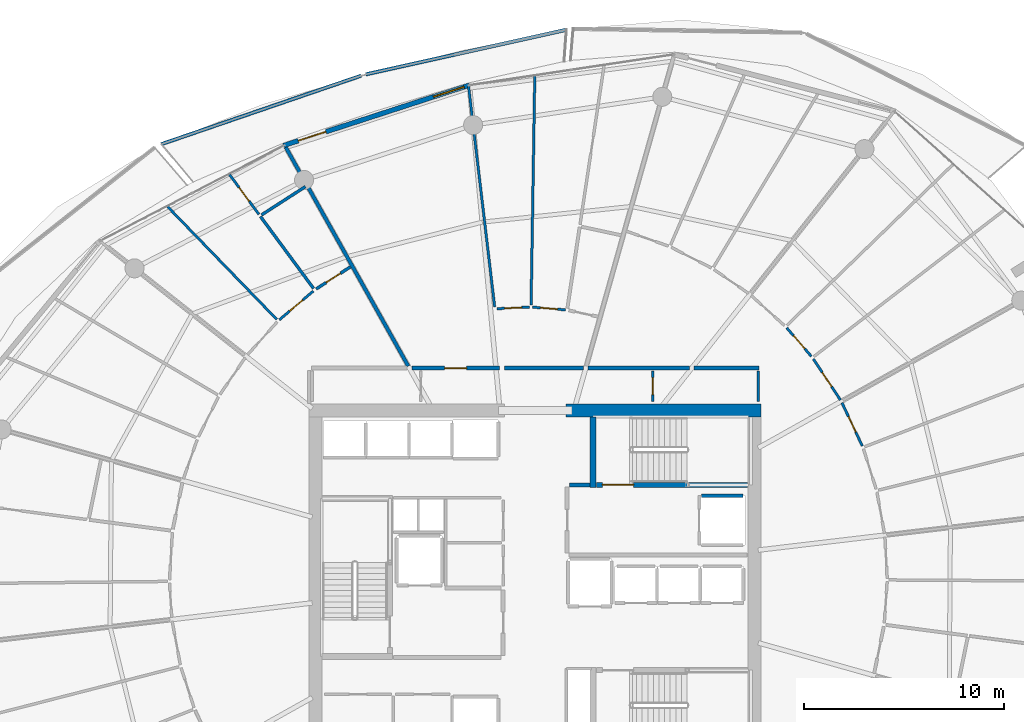
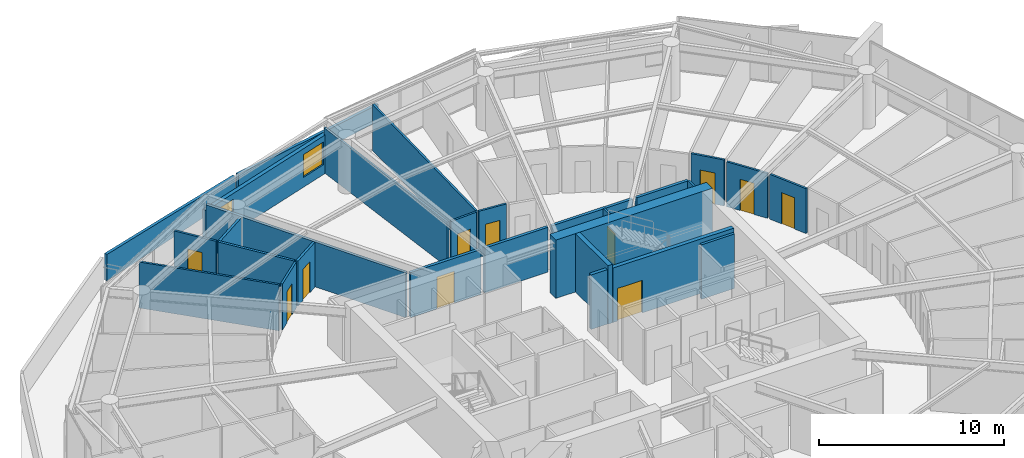
# One storey, part 22 of 30: 28 walls, 12 doors, 1 window, 13 openings.
"""IFC4 building model written with IfcOpenShell, lengths in metres."""

from ifc_helpers import new_model, si_unit, direction, frame, frame_2d, origin, place, context, subcontext, project, spatial, polyline, rectangle, outline, extrude, material, layer, layer_set, type_object, element, fill, save


model = new_model("IFC4")

# Units and contexts
model_context = context("Model", 3, precision=1e-05, world=origin(), true_north=direction((0.0, 1.0)))
body_context = subcontext(model_context, "Body", "Model", "MODEL_VIEW")
ifc_project = project(units=[si_unit("LENGTHUNIT", "METRE"), si_unit("AREAUNIT", "SQUARE_METRE"), si_unit("VOLUMEUNIT", "CUBIC_METRE"), si_unit("PLANEANGLEUNIT", "RADIAN"), si_unit("MASSUNIT", "GRAM", prefix="KILO")], contexts=[model_context])

# Site, building, storey
site_placement = place(None, origin())
site = spatial("IfcSite", under=ifc_project, at=site_placement, CompositionType="ELEMENT")
building_placement = place(site_placement, origin())
building = spatial("IfcBuilding", under=site, at=building_placement, Name="Kazma Halo Residences", CompositionType="ELEMENT")
storey_placement = place(building_placement, frame((0.0, 0.0, 236.699951171875)))
storey = spatial("IfcBuildingStorey", under=building, at=storey_placement, Name="L59", CompositionType="ELEMENT", Elevation=236.699951171875)

# Walls
ifc_material_1 = material(Name="White Concrete C50/60 Balustrade", Category="concrete")
ifc_layer_1 = layer(ifc_material_1, 0.179931640625)
ifc_layer_set_1 = layer_set([ifc_layer_1], Name="White Concrete C50/60 Balustrade")
wall_type_1 = type_object("IfcWallType", Name="WL-BAL-WAVE-180", PredefinedType="PARAPET", material=ifc_layer_set_1)
wall_1_placement = place(storey_placement, frame((49.98291015625, 69.327392578125, 0.0), z_axis=(0.0, 0.0, 1.0), x_axis=(-0.976130464401, -0.217184982143, 0.0)))
element("IfcWall", 1, at=wall_1_placement, inside=storey, type_object=wall_type_1, Name="L59 white wave balustrade wall NNW.1", PredefinedType="PARAPET", context=body_context, shape_type="SweptSolid", body=[
    extrude(outline(polyline([(0.0, 0.0), (10.257568359375, 0.0), (10.25732421875, 1.34814453125), (5.128662109375, 1.18212890625), (0.0, 1.1201171875), (0.0, 0.0)])), frame((0.0, 0.08984375, 0.0), z_axis=(0.0, -1.0, 0.0), x_axis=(1.0, 0.0, 0.0)), (0.0, 0.0, 1.0), 0.179931640625),
])
wall_2_placement = place(storey_placement, frame((39.73974609375, 67.034423828125, 0.0), z_axis=(0.0, 0.0, 1.0), x_axis=(-0.945994037051, -0.32418402469, 0.0)))
element("IfcWall", 2, at=wall_2_placement, inside=storey, type_object=wall_type_1, Name="L59 white wave balustrade wall NNW.2", PredefinedType="PARAPET", context=body_context, shape_type="SweptSolid", body=[
    extrude(outline(polyline([(0.0, 0.0), (10.5439453125, 0.0), (10.5439453125, 1.7470703125), (5.27197265625, 1.56201171875), (0.0, 1.34814453125), (0.0, 0.0)])), frame((0.0, 0.08984375, 0.0), z_axis=(0.0, -1.0, 0.0), x_axis=(1.0, 0.0, 0.0)), (0.0, 0.0, 1.0), 0.179931640625),
])
ifc_material_2 = material(Name="Concrete C60/75", Category="concrete")
ifc_layer_2 = layer(ifc_material_2, 0.64990234375)
ifc_layer_set_2 = layer_set([ifc_layer_2], Name="Concrete C60/75")
wall_type_2 = type_object("IfcWallType", Name="WL-CORE-650", PredefinedType="SHEAR", material=ifc_layer_set_2)
wall_3_placement = place(storey_placement, frame((49.949951171875, 50.324951171875, 0.0), z_axis=(0.0, 0.0, 1.0), x_axis=(1.0, 0.0, 0.0)))
element("IfcWall", 3, at=wall_3_placement, inside=storey, type_object=wall_type_2, Name="L59 central core shear wall NE", PredefinedType="SHEAR", context=body_context, shape_type="SweptSolid", body=[
    extrude(rectangle(XDim=9.75, YDim=0.64990234375, at=frame_2d((4.875, 0.0))), origin(), (0.0, 0.0, 1.0), 3.85009765625),
])
ifc_layer_3 = layer(ifc_material_2, 0.280029296875)
ifc_layer_set_3 = layer_set([ifc_layer_3], Name="Concrete C60/75")
wall_type_3 = type_object("IfcWallType", Name="WL-CORE-ST-280", PredefinedType="SHEAR", material=ifc_layer_set_3)
wall_4_placement = place(storey_placement, frame((51.31005859375, 46.5, 0.0), z_axis=(0.0, 0.0, 1.0), x_axis=(0.0, 1.0, 0.0)))
element("IfcWall", 4, at=wall_4_placement, inside=storey, type_object=wall_type_3, Name="L59 stairwell bearing wall ST02-W", PredefinedType="SHEAR", context=body_context, shape_type="SweptSolid", body=[
    extrude(rectangle(XDim=3.5, YDim=0.280029296875, at=frame_2d((1.75, 0.0))), origin(), (0.0, 0.0, 1.0), 3.85009765625),
])
ifc_material_3 = material(Name="Acoustic Twin-Stud Gypsum")
ifc_layer_4 = layer(ifc_material_3, 0.179931640625)
ifc_layer_set_4 = layer_set([ifc_layer_4], Name="Acoustic Twin-Stud Gypsum")
wall_type_4 = type_object("IfcWallType", Name="WL-DEM-180", PredefinedType="PARTITIONING", material=ifc_layer_set_4)
wall_5_placement = place(storey_placement, frame((42.093994140625, 52.5458984375, 0.0), z_axis=(0.0, 0.0, 1.0), x_axis=(-0.48862654941, 0.872493034477, 0.0)))
element("IfcWall", 5, at=wall_5_placement, inside=storey, type_object=wall_type_4, Name="L59 apartment demising radial wall 04", PredefinedType="PARTITIONING", context=body_context, shape_type="SweptSolid", body=[
    extrude(rectangle(XDim=12.507568359375, YDim=0.179931640625, at=frame_2d((6.25390625, 0.0))), origin(), (0.0, 0.0, 1.0), 2.95703125),
])

# Wall, opening, door
wall_6_placement = place(storey_placement, frame((46.643310546875, 52.449951171875, 0.0), z_axis=(0.0, 0.0, 1.0), x_axis=(-1.0, 0.0, 0.0)))
wall_6 = element("IfcWall", 6, at=wall_6_placement, inside=storey, type_object=wall_type_4, Name="L59 Apartment 1 entrance corridor wall", PredefinedType="PARTITIONING", context=body_context, shape_type="SweptSolid", body=[
    extrude(rectangle(XDim=4.375732421875, YDim=0.179931640625, at=frame_2d((2.18798828125, 0.0))), origin(), (0.0, 0.0, 1.0), 2.95703125),
])
opening_1_placement = place(wall_6_placement, frame((1.6376953125, 0.0, 0.0)))
opening_1 = element("IfcOpeningElement", 7, at=opening_1_placement, cuts=wall_6, Name="Opening DA-1100", PredefinedType="OPENING", context=body_context, shape_type="SweptSolid", body=[
    extrude(rectangle(XDim=1.10009765625, YDim=2.10009765625, at=frame_2d((0.550048828125, 1.050048828125))), frame((0.0, 0.099853515625, 0.0), z_axis=(0.0, -1.0, 0.0), x_axis=(1.0, 0.0, 0.0)), (0.0, 0.0, 1.0), 0.199951171875),
])
ifc_material_4 = material(Name="Acoustic Walnut Fire Leaf")
door_type_1 = type_object("IfcDoorType", Name="DR-FD60-1100", OperationType="NOTDEFINED", PredefinedType="DOOR", material=ifc_material_4)
door_1_placement = place(opening_1_placement, origin())
door_1 = element("IfcDoor", 8, at=door_1_placement, inside=storey, type_object=door_type_1, Name="L59 Apartment 1 entrance fire door", OperationType="SINGLE_SWING_LEFT", OverallHeight=2.10009765625, OverallWidth=1.10009765625, PredefinedType="DOOR", context=body_context, shape_type="SweptSolid", body=[
    extrude(rectangle(XDim=1.10009765625, YDim=2.10009765625, at=frame_2d((0.550048828125, 1.050048828125))), frame((0.0, 0.02490234375, 0.0), z_axis=(0.0, -1.0, 0.0), x_axis=(1.0, 0.0, 0.0)), (0.0, 0.0, 1.0), 0.050048828125),
])
fill(opening_1, door_1)

# Walls
wall_7_placement = place(storey_placement, frame((50.8271484375, 52.449951171875, 0.0), z_axis=(0.0, 0.0, 1.0), x_axis=(-1.0, 0.0, 0.0)))
element("IfcWall", 9, at=wall_7_placement, inside=storey, type_object=wall_type_4, Name="L59 Apartment 1 inner wall 2", PredefinedType="PARTITIONING", context=body_context, shape_type="SweptSolid", body=[
    extrude(rectangle(XDim=3.94384765625, YDim=0.179931640625, at=frame_2d((1.971923828125, 0.0))), origin(), (0.0, 0.0, 1.0), 2.95703125),
])
wall_8_placement = place(storey_placement, frame((59.580078125, 52.449951171875, 0.0), z_axis=(0.0, 0.0, 1.0), x_axis=(-1.0, 0.0, 0.0)))
element("IfcWall", 10, at=wall_8_placement, inside=storey, type_object=wall_type_4, Name="L59 Apartment 4 inner wall 0", PredefinedType="PARTITIONING", context=body_context, shape_type="SweptSolid", body=[
    extrude(rectangle(XDim=3.221923828125, YDim=0.179931640625, at=frame_2d((1.61083984375, 0.0))), origin(), (0.0, 0.0, 1.0), 2.95703125),
])
wall_9_placement = place(storey_placement, frame((56.1181640625, 52.449951171875, 0.0), z_axis=(0.0, 0.0, 1.0), x_axis=(-1.0, 0.0, 0.0)))
element("IfcWall", 11, at=wall_9_placement, inside=storey, type_object=wall_type_4, Name="L59 Apartment 4 inner wall 1", PredefinedType="PARTITIONING", context=body_context, shape_type="SweptSolid", body=[
    extrude(rectangle(XDim=5.051025390625, YDim=0.179931640625, at=frame_2d((2.525390625, 0.0))), origin(), (0.0, 0.0, 1.0), 2.95703125),
])

# Wall, openings, door, window
ifc_material_5 = material(Name="Insulated Pale-Metal Composite Wall")
ifc_layer_5 = layer(ifc_material_5, 0.239990234375)
ifc_layer_set_5 = layer_set([ifc_layer_5], Name="Insulated Pale-Metal Composite Wall")
wall_type_5 = type_object("IfcWallType", Name="WL-EXT-HOST-240", PredefinedType="SOLIDWALL", material=ifc_layer_set_5)
wall_10_placement = place(storey_placement, frame((45.14208984375, 66.563720703125, 0.0), z_axis=(0.0, 0.0, 1.0), x_axis=(-0.951055974609, -0.309018661507, 0.0)))
wall_10 = element("IfcWall", 12, at=wall_10_placement, inside=storey, type_object=wall_type_5, Name="L59 exterior terrace-access wall B04", PredefinedType="SOLIDWALL", context=body_context, shape_type="SweptSolid", body=[
    extrude(rectangle(XDim=9.745361328125, YDim=0.239990234375, at=frame_2d((4.87255859375, 0.0))), origin(), (0.0, 0.0, 1.0), 2.5400390625),
])
opening_2_placement = place(wall_10_placement, frame((7.525390625, 0.0, 0.0)))
opening_2 = element("IfcOpeningElement", 13, at=opening_2_placement, cuts=wall_10, Name="Opening DTR-1600", PredefinedType="OPENING", context=body_context, shape_type="SweptSolid", body=[
    extrude(rectangle(XDim=1.449951171875, YDim=2.14990234375, at=frame_2d((0.72509765625, 1.074951171875))), frame((0.0, 0.1298828125, 0.0), z_axis=(0.0, -1.0, 0.0), x_axis=(1.0, 0.0, 0.0)), (0.0, 0.0, 1.0), 0.260009765625),
])
opening_3_placement = place(wall_10_placement, frame((0.280029296875, 0.0, 0.64990234375)))
opening_3 = element("IfcOpeningElement", 14, at=opening_3_placement, cuts=wall_10, Name="Opening W-1800", PredefinedType="OPENING", context=body_context, shape_type="SweptSolid", body=[
    extrude(rectangle(XDim=1.60009765625, YDim=1.5, at=frame_2d((0.800048828125, 0.75))), frame((0.0, 0.1298828125, 0.0), z_axis=(0.0, -1.0, 0.0), x_axis=(1.0, 0.0, 0.0)), (0.0, 0.0, 1.0), 0.260009765625),
])
ifc_material_6 = material(Name="Aluminium AW-6063 T6 Double-Glazed Terrace Door", Category="aluminium")
door_type_2 = type_object("IfcDoorType", Name="DR-EXT-TERR-1600", OperationType="NOTDEFINED", PredefinedType="DOOR", material=ifc_material_6)
door_2_placement = place(opening_2_placement, origin())
door_2 = element("IfcDoor", 15, at=door_2_placement, inside=storey, type_object=door_type_2, Name="L59 B04 balcony terrace door", OperationType="DOUBLE_DOOR_SLIDING", OverallHeight=2.14990234375, OverallWidth=1.449951171875, PredefinedType="DOOR", context=body_context, shape_type="SweptSolid", body=[
    extrude(rectangle(XDim=1.449951171875, YDim=2.14990234375, at=frame_2d((0.72509765625, 1.074951171875))), frame((0.0, 0.02490234375, 0.0), z_axis=(0.0, -1.0, 0.0), x_axis=(1.0, 0.0, 0.0)), (0.0, 0.0, 1.0), 0.050048828125),
])
fill(opening_2, door_2)
ifc_material_7 = material(Name="Clear Triple-Silver Low-E Glass in Aluminium AW-6063 T6 Frame", Category="aluminium")
window_type = type_object("IfcWindowType", Name="WIN-RES-1800", PartitioningType="DOUBLE_PANEL_VERTICAL", PredefinedType="WINDOW", material=ifc_material_7)
window_placement = place(opening_3_placement, origin())
window = element("IfcWindow", 16, at=window_placement, inside=storey, type_object=window_type, Name="L59 B04 apartment window", OverallHeight=1.5, OverallWidth=1.60009765625, PartitioningType="SINGLE_PANEL", PredefinedType="WINDOW", context=body_context, shape_type="SweptSolid", body=[
    extrude(rectangle(XDim=1.60009765625, YDim=1.5, at=frame_2d((0.800048828125, 0.75))), frame((0.0, 0.030029296875, 0.0), z_axis=(0.0, -1.0, 0.0), x_axis=(1.0, 0.0, 0.0)), (0.0, 0.0, 1.0), 0.06005859375),
])
fill(opening_3, window)

# Walls
ifc_material_8 = material(Name="Fire-Rated Blockwork Masonry", Category="masonry")
ifc_layer_6 = layer(ifc_material_8, 0.199951171875)
ifc_layer_set_6 = layer_set([ifc_layer_6], Name="Fire-Rated Blockwork Masonry")
wall_type_6 = type_object("IfcWallType", Name="WL-FLB-200", PredefinedType="PARTITIONING", material=ifc_layer_set_6)
wall_11_placement = place(storey_placement, frame((56.719970703125, 46.080078125, 0.0), z_axis=(0.0, 0.0, 1.0), x_axis=(1.0, 0.0, 0.0)))
element("IfcWall", 17, at=wall_11_placement, inside=storey, type_object=wall_type_6, Name="L59 lift shaft FL-02 side wall N", PredefinedType="PARTITIONING", context=body_context, shape_type="SweptSolid", body=[
    extrude(rectangle(XDim=2.06005859375, YDim=0.159912109375, at=frame_2d((1.030029296875, 0.0))), origin(), (0.0, 0.0, 1.0), 3.590087890625),
])
wall_12_placement = place(storey_placement, frame((50.139892578125, 46.6201171875, 0.0), z_axis=(0.0, 0.0, 1.0), x_axis=(1.0, 0.0, 0.0)))
element("IfcWall", 18, at=wall_12_placement, inside=storey, type_object=wall_type_6, Name="L59 east firefighting lobby north closure wall", PredefinedType="PARTITIONING", context=body_context, shape_type="SweptSolid", body=[
    extrude(rectangle(XDim=1.02001953125, YDim=0.199951171875, at=frame_2d((0.510009765625, 0.0))), origin(), (0.0, 0.0, 1.0), 3.590087890625),
])
ifc_material_9 = material(Name="Gypsum Plasterboard Partition")
ifc_layer_7 = layer(ifc_material_9, 0.125)
ifc_layer_set_7 = layer_set([ifc_layer_7], Name="Gypsum Plasterboard Partition")
wall_type_7 = type_object("IfcWallType", Name="WL-PART-125", PredefinedType="PARTITIONING", material=ifc_layer_set_7)
wall_13_placement = place(storey_placement, frame((59.56005859375, 50.77001953125, 0.0), z_axis=(0.0, 0.0, 1.0), x_axis=(0.0, 1.0, 0.0)))
element("IfcWall", 19, at=wall_13_placement, inside=storey, type_object=wall_type_7, Name="L59 east cupboard end wall", PredefinedType="PARTITIONING", context=body_context, shape_type="SweptSolid", body=[
    extrude(rectangle(XDim=1.5400390625, YDim=0.125, at=frame_2d((0.77001953125, 0.0))), origin(), (0.0, 0.0, 1.0), 3.030029296875),
])

# Wall, opening, door
wall_14_placement = place(storey_placement, frame((54.2900390625, 50.7900390625, 0.0), z_axis=(0.0, 0.0, 1.0), x_axis=(0.0, 1.0, 0.0)))
wall_14 = element("IfcWall", 20, at=wall_14_placement, inside=storey, type_object=wall_type_7, Name="L59 floor metering cupboard door wall", PredefinedType="PARTITIONING", context=body_context, shape_type="SweptSolid", body=[
    extrude(rectangle(XDim=1.52001953125, YDim=0.125, at=frame_2d((0.760009765625, 0.0))), origin(), (0.0, 0.0, 1.0), 3.030029296875),
])
opening_4_placement = place(wall_14_placement, frame((0.3349609375, 0.0, 0.0)))
opening_4 = element("IfcOpeningElement", 21, at=opening_4_placement, cuts=wall_14, Name="Opening DS-850", PredefinedType="OPENING", context=body_context, shape_type="SweptSolid", body=[
    extrude(rectangle(XDim=0.85009765625, YDim=2.06005859375, at=frame_2d((0.425048828125, 1.030029296875))), frame((0.0, 0.072509765625, 0.0), z_axis=(0.0, -1.0, 0.0), x_axis=(1.0, 0.0, 0.0)), (0.0, 0.0, 1.0), 0.14501953125),
])
ifc_material_10 = material(Name="Painted Steel Access Leaf", Category="steel")
door_type_3 = type_object("IfcDoorType", Name="DR-SVC-850", OperationType="NOTDEFINED", PredefinedType="DOOR", material=ifc_material_10)
door_3_placement = place(opening_4_placement, origin())
door_3 = element("IfcDoor", 22, at=door_3_placement, inside=storey, type_object=door_type_3, Name="L59 floor cupboard door", OperationType="SINGLE_SWING_LEFT", OverallHeight=2.06005859375, OverallWidth=0.85009765625, PredefinedType="DOOR", context=body_context, shape_type="SweptSolid", body=[
    extrude(rectangle(XDim=0.85009765625, YDim=2.06005859375, at=frame_2d((0.425048828125, 1.030029296875))), frame((0.0, 0.02490234375, 0.0), z_axis=(0.0, -1.0, 0.0), x_axis=(1.0, 0.0, 0.0)), (0.0, 0.0, 1.0), 0.050048828125),
])
fill(opening_4, door_3)

# Walls
wall_15_placement = place(storey_placement, frame((46.40185546875, 55.502685546875, 0.0), z_axis=(0.0, 0.0, 1.0), x_axis=(-0.117541965763, 0.99306791625, 0.0)))
element("IfcWall", 23, at=wall_15_placement, inside=storey, type_object=wall_type_7, Name="L59 Apartment 1 living radial partition 2", PredefinedType="PARTITIONING", context=body_context, shape_type="SweptSolid", body=[
    extrude(rectangle(XDim=11.09765625, YDim=0.125, at=frame_2d((5.548828125, 0.0))), origin(), (0.0, 0.0, 1.0), 2.95703125),
])
wall_16_placement = place(storey_placement, frame((48.21875, 55.585205078125, 0.0), z_axis=(0.0, 0.0, 1.0), x_axis=(0.016095267484, 0.999870462792, 0.0)))
element("IfcWall", 24, at=wall_16_placement, inside=storey, type_object=wall_type_7, Name="L59 Apartment 1 suite divider 2", PredefinedType="PARTITIONING", context=body_context, shape_type="SweptSolid", body=[
    extrude(rectangle(XDim=11.43701171875, YDim=0.125, at=frame_2d((5.718505859375, 0.0))), origin(), (0.0, 0.0, 1.0), 3.030029296875),
])

# Wall, opening, door
wall_17_placement = place(storey_placement, frame((49.927490234375, 55.352783203125, 0.0), z_axis=(0.0, 0.0, 1.0), x_axis=(-0.996539580569, 0.083119578673, 0.0)))
wall_17 = element("IfcWall", 25, at=wall_17_placement, inside=storey, type_object=wall_type_7, Name="L59 Apartment 1 Gourmet Kitchen hall wall", PredefinedType="PARTITIONING", context=body_context, shape_type="SweptSolid", body=[
    extrude(rectangle(XDim=1.635986328125, YDim=0.125, at=frame_2d((0.81787109375, 0.0))), origin(), (0.0, 0.0, 1.0), 3.030029296875),
])
opening_5_placement = place(wall_17_placement, frame((0.39306640625, 0.0, 0.0)))
opening_5 = element("IfcOpeningElement", 26, at=opening_5_placement, cuts=wall_17, Name="Opening DB-900", PredefinedType="OPENING", context=body_context, shape_type="SweptSolid", body=[
    extrude(rectangle(XDim=0.85009765625, YDim=2.06005859375, at=frame_2d((0.425048828125, 1.030029296875))), frame((0.0, 0.072509765625, 0.0), z_axis=(0.0, -1.0, 0.0), x_axis=(1.0, 0.0, 0.0)), (0.0, 0.0, 1.0), 0.14501953125),
])
ifc_material_11 = material(Name="Moisture-Sealed Timber Leaf", Category="wood")
door_type_4 = type_object("IfcDoorType", Name="DR-BTH-900", OperationType="NOTDEFINED", PredefinedType="DOOR", material=ifc_material_11)
door_4_placement = place(opening_5_placement, origin())
door_4 = element("IfcDoor", 27, at=door_4_placement, inside=storey, type_object=door_type_4, Name="L59 Apartment 1 Gourmet Kitchen door", OperationType="SINGLE_SWING_RIGHT", OverallHeight=2.06005859375, OverallWidth=0.85009765625, PredefinedType="DOOR", context=body_context, shape_type="SweptSolid", body=[
    extrude(rectangle(XDim=0.85009765625, YDim=2.06005859375, at=frame_2d((0.425048828125, 1.030029296875))), frame((0.0, 0.02490234375, 0.0), z_axis=(0.0, -1.0, 0.0), x_axis=(1.0, 0.0, 0.0)), (0.0, 0.0, 1.0), 0.050048828125),
])
fill(opening_5, door_4)

wall_18_placement = place(storey_placement, frame((48.137451171875, 55.4912109375, 0.0), z_axis=(0.0, 0.0, 1.0), x_axis=(-0.998703955292, -0.050896067475, 0.0)))
wall_18 = element("IfcWall", 28, at=wall_18_placement, inside=storey, type_object=wall_type_7, Name="L59 Apartment 1 Primary Bedroom hall wall", PredefinedType="PARTITIONING", context=body_context, shape_type="SweptSolid", body=[
    extrude(rectangle(XDim=1.626220703125, YDim=0.125, at=frame_2d((0.81298828125, 0.0))), origin(), (0.0, 0.0, 1.0), 3.030029296875),
])
opening_6_placement = place(wall_18_placement, frame((0.387939453125, 0.0, 0.0)))
opening_6 = element("IfcOpeningElement", 29, at=opening_6_placement, cuts=wall_18, Name="Opening DB-900", PredefinedType="OPENING", context=body_context, shape_type="SweptSolid", body=[
    extrude(rectangle(XDim=0.85009765625, YDim=2.06005859375, at=frame_2d((0.425048828125, 1.030029296875))), frame((0.0, 0.072509765625, 0.0), z_axis=(0.0, -1.0, 0.0), x_axis=(1.0, 0.0, 0.0)), (0.0, 0.0, 1.0), 0.14501953125),
])
door_5_placement = place(opening_6_placement, origin())
door_5 = element("IfcDoor", 30, at=door_5_placement, inside=storey, type_object=door_type_4, Name="L59 Apartment 1 Primary Bedroom door", OperationType="SINGLE_SWING_LEFT", OverallHeight=2.06005859375, OverallWidth=0.85009765625, PredefinedType="DOOR", context=body_context, shape_type="SweptSolid", body=[
    extrude(rectangle(XDim=0.85009765625, YDim=2.06005859375, at=frame_2d((0.425048828125, 1.030029296875))), frame((0.0, 0.02490234375, 0.0), z_axis=(0.0, -1.0, 0.0), x_axis=(1.0, 0.0, 0.0)), (0.0, 0.0, 1.0), 0.050048828125),
])
fill(opening_6, door_5)

wall_19_placement = place(storey_placement, frame((34.64404296875, 60.112060546875, 0.0), z_axis=(0.0, 0.0, 1.0), x_axis=(-0.593484040468, 0.804845757713, 0.0)))
wall_19 = element("IfcWall", 31, at=wall_19_placement, inside=storey, type_object=wall_type_7, Name="L59 Apartment 2 Household Store Room partition wall", PredefinedType="PARTITIONING", context=body_context, shape_type="SweptSolid", body=[
    extrude(rectangle(XDim=2.4833984375, YDim=0.125, at=frame_2d((1.24169921875, 0.0))), origin(), (0.0, 0.0, 1.0), 3.030029296875),
])
opening_7_placement = place(wall_19_placement, frame((0.816650390625, 0.0, 0.0)))
opening_7 = element("IfcOpeningElement", 32, at=opening_7_placement, cuts=wall_19, Name="Opening DB-900", PredefinedType="OPENING", context=body_context, shape_type="SweptSolid", body=[
    extrude(rectangle(XDim=0.85009765625, YDim=2.06005859375, at=frame_2d((0.425048828125, 1.030029296875))), frame((0.0, 0.072509765625, 0.0), z_axis=(0.0, -1.0, 0.0), x_axis=(1.0, 0.0, 0.0)), (0.0, 0.0, 1.0), 0.14501953125),
])
door_6_placement = place(opening_7_placement, origin())
door_6 = element("IfcDoor", 33, at=door_6_placement, inside=storey, type_object=door_type_4, Name="L59 Apartment 2 Household Store Room door", OperationType="SINGLE_SWING_LEFT", OverallHeight=2.06005859375, OverallWidth=0.85009765625, PredefinedType="DOOR", context=body_context, shape_type="SweptSolid", body=[
    extrude(rectangle(XDim=0.85009765625, YDim=2.06005859375, at=frame_2d((0.425048828125, 1.030029296875))), frame((0.0, 0.02490234375, 0.0), z_axis=(0.0, -1.0, 0.0), x_axis=(1.0, 0.0, 0.0)), (0.0, 0.0, 1.0), 0.050048828125),
])
fill(opening_7, door_6)

# Wall
wall_20_placement = place(storey_placement, frame((35.53857421875, 54.869384765625, 0.0), z_axis=(0.0, 0.0, 1.0), x_axis=(-0.695627671821, 0.718402493173, 0.0)))
element("IfcWall", 34, at=wall_20_placement, inside=storey, type_object=wall_type_7, Name="L59 Apartment 2 suite divider 4", PredefinedType="PARTITIONING", context=body_context, shape_type="SweptSolid", body=[
    extrude(rectangle(XDim=7.846923828125, YDim=0.125, at=frame_2d((3.92333984375, 0.0))), origin(), (0.0, 0.0, 1.0), 3.030029296875),
])

# Wall, opening, door
wall_21_placement = place(storey_placement, frame((37.352783203125, 56.287353515625, 0.0), z_axis=(0.0, 0.0, 1.0), x_axis=(-0.763311022833, -0.646031177592, 0.0)))
wall_21 = element("IfcWall", 35, at=wall_21_placement, inside=storey, type_object=wall_type_7, Name="L59 Apartment 2 Gourmet Kitchen hall wall", PredefinedType="PARTITIONING", context=body_context, shape_type="SweptSolid", body=[
    extrude(rectangle(XDim=2.21484375, YDim=0.125, at=frame_2d((1.107421875, 0.0))), origin(), (0.0, 0.0, 1.0), 3.030029296875),
])
opening_8_placement = place(wall_21_placement, frame((0.6826171875, 0.0, 0.0)))
opening_8 = element("IfcOpeningElement", 36, at=opening_8_placement, cuts=wall_21, Name="Opening DB-900", PredefinedType="OPENING", context=body_context, shape_type="SweptSolid", body=[
    extrude(rectangle(XDim=0.85009765625, YDim=2.06005859375, at=frame_2d((0.425048828125, 1.030029296875))), frame((0.0, 0.072509765625, 0.0), z_axis=(0.0, -1.0, 0.0), x_axis=(1.0, 0.0, 0.0)), (0.0, 0.0, 1.0), 0.14501953125),
])
door_7_placement = place(opening_8_placement, origin())
door_7 = element("IfcDoor", 37, at=door_7_placement, inside=storey, type_object=door_type_4, Name="L59 Apartment 2 Gourmet Kitchen door", OperationType="SINGLE_SWING_RIGHT", OverallHeight=2.06005859375, OverallWidth=0.85009765625, PredefinedType="DOOR", context=body_context, shape_type="SweptSolid", body=[
    extrude(rectangle(XDim=0.85009765625, YDim=2.06005859375, at=frame_2d((0.425048828125, 1.030029296875))), frame((0.0, 0.02490234375, 0.0), z_axis=(0.0, -1.0, 0.0), x_axis=(1.0, 0.0, 0.0)), (0.0, 0.0, 1.0), 0.050048828125),
])
fill(opening_8, door_7)

wall_22_placement = place(storey_placement, frame((64.7412109375, 48.562255859375, 0.0), z_axis=(0.0, 0.0, 1.0), x_axis=(-0.425713071605, 0.904858210255, 0.0)))
wall_22 = element("IfcWall", 38, at=wall_22_placement, inside=storey, type_object=wall_type_7, Name="L59 Apartment 4 Inner Master Bedroom hall wall", PredefinedType="PARTITIONING", context=body_context, shape_type="SweptSolid", body=[
    extrude(rectangle(XDim=2.380615234375, YDim=0.125, at=frame_2d((1.1904296875, 0.0))), origin(), (0.0, 0.0, 1.0), 2.95703125),
])
opening_9_placement = place(wall_22_placement, frame((0.765380859375, 0.0, 0.0)))
opening_9 = element("IfcOpeningElement", 39, at=opening_9_placement, cuts=wall_22, Name="Opening DB-900", PredefinedType="OPENING", context=body_context, shape_type="SweptSolid", body=[
    extrude(rectangle(XDim=0.85009765625, YDim=2.06005859375, at=frame_2d((0.425048828125, 1.030029296875))), frame((0.0, 0.072509765625, 0.0), z_axis=(0.0, -1.0, 0.0), x_axis=(1.0, 0.0, 0.0)), (0.0, 0.0, 1.0), 0.14501953125),
])
door_8_placement = place(opening_9_placement, origin())
door_8 = element("IfcDoor", 40, at=door_8_placement, inside=storey, type_object=door_type_4, Name="L59 Apartment 4 Inner Master Bedroom door", OperationType="SINGLE_SWING_RIGHT", OverallHeight=2.06005859375, OverallWidth=0.85009765625, PredefinedType="DOOR", context=body_context, shape_type="SweptSolid", body=[
    extrude(rectangle(XDim=0.85009765625, YDim=2.06005859375, at=frame_2d((0.425048828125, 1.030029296875))), frame((0.0, 0.02490234375, 0.0), z_axis=(0.0, -1.0, 0.0), x_axis=(1.0, 0.0, 0.0)), (0.0, 0.0, 1.0), 0.050048828125),
])
fill(opening_9, door_8)

wall_23_placement = place(storey_placement, frame((63.6494140625, 50.855712890625, 0.0), z_axis=(0.0, 0.0, 1.0), x_axis=(-0.550647912311, 0.834737609472, 0.0)))
wall_23 = element("IfcWall", 41, at=wall_23_placement, inside=storey, type_object=wall_type_7, Name="L59 Apartment 4 Outer Master Bedroom hall wall", PredefinedType="PARTITIONING", context=body_context, shape_type="SweptSolid", body=[
    extrude(rectangle(XDim=2.450927734375, YDim=0.125, at=frame_2d((1.2255859375, 0.0))), origin(), (0.0, 0.0, 1.0), 2.95703125),
])
opening_10_placement = place(wall_23_placement, frame((0.800537109375, 0.0, 0.0)))
opening_10 = element("IfcOpeningElement", 42, at=opening_10_placement, cuts=wall_23, Name="Opening DB-900", PredefinedType="OPENING", context=body_context, shape_type="SweptSolid", body=[
    extrude(rectangle(XDim=0.85009765625, YDim=2.06005859375, at=frame_2d((0.425048828125, 1.030029296875))), frame((0.0, 0.072509765625, 0.0), z_axis=(0.0, -1.0, 0.0), x_axis=(1.0, 0.0, 0.0)), (0.0, 0.0, 1.0), 0.14501953125),
])
door_9_placement = place(opening_10_placement, origin())
door_9 = element("IfcDoor", 43, at=door_9_placement, inside=storey, type_object=door_type_4, Name="L59 Apartment 4 Outer Master Bedroom door", OperationType="SINGLE_SWING_LEFT", OverallHeight=2.06005859375, OverallWidth=0.85009765625, PredefinedType="DOOR", context=body_context, shape_type="SweptSolid", body=[
    extrude(rectangle(XDim=0.85009765625, YDim=2.06005859375, at=frame_2d((0.425048828125, 1.030029296875))), frame((0.0, 0.02490234375, 0.0), z_axis=(0.0, -1.0, 0.0), x_axis=(1.0, 0.0, 0.0)), (0.0, 0.0, 1.0), 0.050048828125),
])
fill(opening_10, door_9)

wall_24_placement = place(storey_placement, frame((62.203369140625, 53.029052734375, 0.0), z_axis=(0.0, 0.0, 1.0), x_axis=(-0.653949885252, 0.75653786923, 0.0)))
wall_24 = element("IfcWall", 44, at=wall_24_placement, inside=storey, type_object=wall_type_7, Name="L59 Apartment 4 Corner Dressing Wardrobe hall wall", PredefinedType="PARTITIONING", context=body_context, shape_type="SweptSolid", body=[
    extrude(rectangle(XDim=1.88720703125, YDim=0.125, at=frame_2d((0.943603515625, 0.0))), origin(), (0.0, 0.0, 1.0), 3.030029296875),
])
opening_11_placement = place(wall_24_placement, frame((0.518798828125, 0.0, 0.0)))
opening_11 = element("IfcOpeningElement", 45, at=opening_11_placement, cuts=wall_24, Name="Opening DB-900", PredefinedType="OPENING", context=body_context, shape_type="SweptSolid", body=[
    extrude(rectangle(XDim=0.85009765625, YDim=2.06005859375, at=frame_2d((0.425048828125, 1.030029296875))), frame((0.0, 0.072509765625, 0.0), z_axis=(0.0, -1.0, 0.0), x_axis=(1.0, 0.0, 0.0)), (0.0, 0.0, 1.0), 0.14501953125),
])
door_10_placement = place(opening_11_placement, origin())
door_10 = element("IfcDoor", 46, at=door_10_placement, inside=storey, type_object=door_type_4, Name="L59 Apartment 4 Corner Dressing Wardrobe door", OperationType="SINGLE_SWING_RIGHT", OverallHeight=2.06005859375, OverallWidth=0.85009765625, PredefinedType="DOOR", context=body_context, shape_type="SweptSolid", body=[
    extrude(rectangle(XDim=0.85009765625, YDim=2.06005859375, at=frame_2d((0.425048828125, 1.030029296875))), frame((0.0, 0.02490234375, 0.0), z_axis=(0.0, -1.0, 0.0), x_axis=(1.0, 0.0, 0.0)), (0.0, 0.0, 1.0), 0.050048828125),
])
fill(opening_11, door_10)

ifc_material_12 = material(Name="Concrete C50/60", Category="concrete")
ifc_layer_8 = layer(ifc_material_12, 0.25)
ifc_layer_set_8 = layer_set([ifc_layer_8], Name="Concrete C50/60")
wall_type_8 = type_object("IfcWallType", Name="WL-SHF-250", PredefinedType="SOLIDWALL", material=ifc_layer_set_8)
wall_25_placement = place(storey_placement, frame((51.47998046875, 46.6201171875, 0.0), z_axis=(0.0, 0.0, 1.0), x_axis=(1.0, 0.0, 0.0)))
wall_25 = element("IfcWall", 47, at=wall_25_placement, inside=storey, type_object=wall_type_8, Name="L59 exit stair ST-02 enclosure wall", PredefinedType="SOLIDWALL", context=body_context, shape_type="SweptSolid", body=[
    extrude(rectangle(XDim=7.5400390625, YDim=0.25, at=frame_2d((3.77001953125, 0.0))), origin(), (0.0, 0.0, 1.0), 3.590087890625),
])
opening_12_placement = place(wall_25_placement, frame((0.300048828125, 0.0, 0.0)))
opening_12 = element("IfcOpeningElement", 48, at=opening_12_placement, cuts=wall_25, Name="Opening D-ST2", PredefinedType="OPENING", context=body_context, shape_type="SweptSolid", body=[
    extrude(rectangle(XDim=1.550048828125, YDim=2.14990234375, at=frame_2d((0.77490234375, 1.074951171875))), frame((0.0, 0.135009765625, 0.0), z_axis=(0.0, -1.0, 0.0), x_axis=(1.0, 0.0, 0.0)), (0.0, 0.0, 1.0), 0.27001953125),
])
ifc_material_13 = material(Name="Fire-Rated Double Steel Leaf", Category="steel")
door_type_5 = type_object("IfcDoorType", Name="DR-FD90-1550", OperationType="NOTDEFINED", PredefinedType="DOOR", material=ifc_material_13)
door_11_placement = place(opening_12_placement, origin())
door_11 = element("IfcDoor", 49, at=door_11_placement, inside=storey, type_object=door_type_5, Name="L59 exit stair ST-02 fire door", OperationType="DOUBLE_DOOR_SINGLE_SWING", OverallHeight=2.14990234375, OverallWidth=1.550048828125, PredefinedType="DOOR", context=body_context, shape_type="SweptSolid", body=[
    extrude(rectangle(XDim=1.550048828125, YDim=2.14990234375, at=frame_2d((0.77490234375, 1.074951171875))), frame((0.0, 0.02490234375, 0.0), z_axis=(0.0, -1.0, 0.0), x_axis=(1.0, 0.0, 0.0)), (0.0, 0.0, 1.0), 0.050048828125),
])
fill(opening_12, door_11)

ifc_material_14 = material(Name="Moisture-Resistant Gypsum")
ifc_layer_9 = layer(ifc_material_14, 0.14990234375)
ifc_layer_set_9 = layer_set([ifc_layer_9], Name="Moisture-Resistant Gypsum")
wall_type_9 = type_object("IfcWallType", Name="WL-WET-150", PredefinedType="PARTITIONING", material=ifc_layer_set_9)
wall_26_placement = place(storey_placement, frame((39.206787109375, 57.497314453125, 0.0), z_axis=(0.0, 0.0, 1.0), x_axis=(-0.840264904476, -0.542176069469, 0.0)))
wall_26 = element("IfcWall", 50, at=wall_26_placement, inside=storey, type_object=wall_type_9, Name="L59 Apartment 2 Guest Bathroom hall wall", PredefinedType="PARTITIONING", context=body_context, shape_type="SweptSolid", body=[
    extrude(rectangle(XDim=2.034423828125, YDim=0.14990234375, at=frame_2d((1.01708984375, 0.0))), origin(), (0.0, 0.0, 1.0), 2.95703125),
])
opening_13_placement = place(wall_26_placement, frame((0.59228515625, 0.0, 0.0)))
opening_13 = element("IfcOpeningElement", 51, at=opening_13_placement, cuts=wall_26, Name="Opening DB-900", PredefinedType="OPENING", context=body_context, shape_type="SweptSolid", body=[
    extrude(rectangle(XDim=0.85009765625, YDim=2.06005859375, at=frame_2d((0.425048828125, 1.030029296875))), frame((0.0, 0.0849609375, 0.0), z_axis=(0.0, -1.0, 0.0), x_axis=(1.0, 0.0, 0.0)), (0.0, 0.0, 1.0), 0.169921875),
])
door_12_placement = place(opening_13_placement, origin())
door_12 = element("IfcDoor", 52, at=door_12_placement, inside=storey, type_object=door_type_4, Name="L59 Apartment 2 Guest Bathroom door", OperationType="SINGLE_SWING_RIGHT", OverallHeight=2.06005859375, OverallWidth=0.85009765625, PredefinedType="DOOR", context=body_context, shape_type="SweptSolid", body=[
    extrude(rectangle(XDim=0.85009765625, YDim=2.06005859375, at=frame_2d((0.425048828125, 1.030029296875))), frame((0.0, 0.02490234375, 0.0), z_axis=(0.0, -1.0, 0.0), x_axis=(1.0, 0.0, 0.0)), (0.0, 0.0, 1.0), 0.050048828125),
])
fill(opening_13, door_12)

# Walls
wall_27_placement = place(storey_placement, frame((36.964111328125, 61.501953125, 0.0), z_axis=(0.0, 0.0, 1.0), x_axis=(-0.840282888179, -0.542148197298, 0.0)))
element("IfcWall", 53, at=wall_27_placement, inside=storey, type_object=wall_type_9, Name="L59 Apartment 2 Guest Bathroom back wall", PredefinedType="PARTITIONING", context=body_context, shape_type="SweptSolid", body=[
    extrude(rectangle(XDim=2.607421875, YDim=0.14990234375, at=frame_2d((1.3037109375, 0.0))), origin(), (0.0, 0.0, 1.0), 2.95703125),
])
wall_28_placement = place(storey_placement, frame((37.3681640625, 56.41796875, 0.0), z_axis=(0.0, 0.0, 1.0), x_axis=(-0.593490290322, 0.804841149106, 0.0)))
element("IfcWall", 54, at=wall_28_placement, inside=storey, type_object=wall_type_9, Name="L59 Apartment 2 Guest Bathroom side wall", PredefinedType="PARTITIONING", context=body_context, shape_type="SweptSolid", body=[
    extrude(rectangle(XDim=4.4599609375, YDim=0.14990234375, at=frame_2d((2.22998046875, 0.0))), origin(), (0.0, 0.0, 1.0), 3.030029296875),
])

save(model, "model.ifc")
